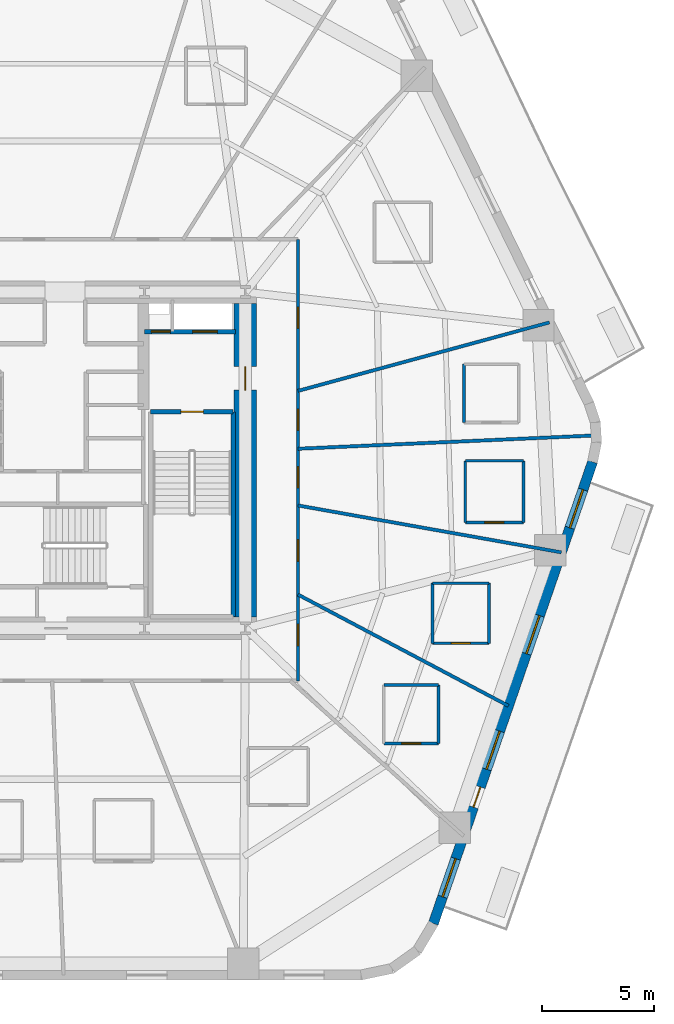
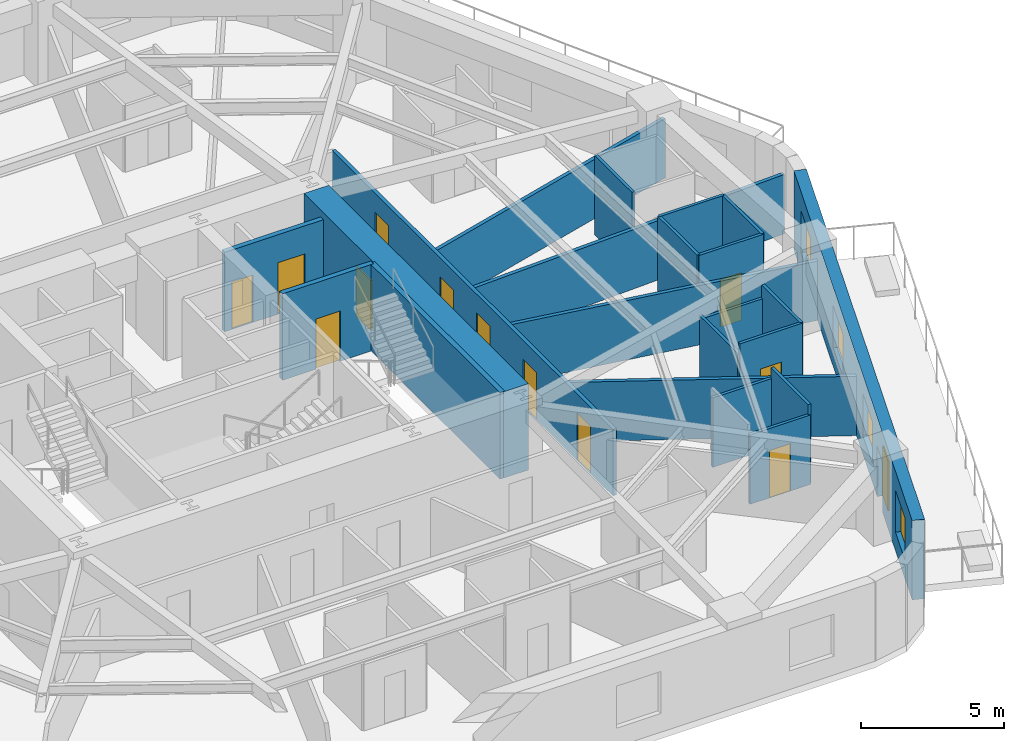
# One storey, part 5 of 10: 22 walls, 13 doors, 4 windows, 17 openings.
"""IFC4 building model written with IfcOpenShell, lengths in metres."""

from ifc_helpers import new_model, si_unit, direction, frame, frame_2d, origin, place, context, subcontext, project, spatial, rectangle, extrude, material, layer, layer_set, type_object, element, fill, save


model = new_model("IFC4")

# Units and contexts
model_context = context("Model", 3, precision=1e-05, world=origin(), true_north=direction((0.0, 1.0)))
body_context = subcontext(model_context, "Body", "Model", "MODEL_VIEW")
ifc_project = project(units=[si_unit("LENGTHUNIT", "METRE"), si_unit("AREAUNIT", "SQUARE_METRE"), si_unit("VOLUMEUNIT", "CUBIC_METRE"), si_unit("PLANEANGLEUNIT", "RADIAN"), si_unit("MASSUNIT", "GRAM", prefix="KILO")], contexts=[model_context])

# Site, building, storey
site_placement = place(None, origin())
site = spatial("IfcSite", under=ifc_project, at=site_placement, CompositionType="ELEMENT")
building_placement = place(site_placement, origin())
building = spatial("IfcBuilding", under=site, at=building_placement, Name="Kilnhurst Terrace Hotel", CompositionType="ELEMENT")
storey_placement = place(building_placement, frame((0.0, 0.0, 52.699951171875)))
storey = spatial("IfcBuildingStorey", under=building, at=storey_placement, Name="L11", CompositionType="ELEMENT", Elevation=52.699951171875)

# Wall, openings, door, windows
ifc_material_1 = material(Name="Precast concrete C40/50", Category="concrete")
ifc_layer_1 = layer(ifc_material_1, 0.449951171875, Name="Precast concrete C40/50")
ifc_layer_set_1 = layer_set([ifc_layer_1], Name="Precast concrete C40/50")
wall_type_1 = type_object("IfcWallType", Name="WL-BRK-450", PredefinedType="SOLIDWALL", material=ifc_layer_set_1)
wall_1_placement = place(storey_placement, frame((17.3896484375, -20.678466796875, 0.0), z_axis=(0.0, 0.0, 1.0), x_axis=(0.326068018294, 0.945346310854, 0.0)))
wall_1 = element("IfcWall", 1, at=wall_1_placement, inside=storey, type_object=wall_type_1, Name="L11 Exterior Brick Facade Wall F2", PredefinedType="SOLIDWALL", context=body_context, shape_type="SweptSolid", body=[
    extrude(rectangle(XDim=21.79296875, YDim=0.449951171875, at=frame_2d((10.896484375, 0.0))), origin(), (0.0, 0.0, 1.0), 3.400146484375),
])
opening_1_placement = place(wall_1_placement, frame((5.492919921875, 0.0, 0.0)))
opening_1 = element("IfcOpeningElement", 2, at=opening_1_placement, cuts=wall_1, Name="Opening BD-950", PredefinedType="OPENING", context=body_context, shape_type="SweptSolid", body=[
    extrude(rectangle(XDim=0.949951171875, YDim=2.14990234375, at=frame_2d((0.47509765625, 1.074951171875))), frame((0.0, 0.23486328125, 0.0), z_axis=(0.0, -1.0, 0.0), x_axis=(1.0, 0.0, 0.0)), (0.0, 0.0, 1.0), 0.469970703125),
])
opening_2_placement = place(wall_1_placement, frame((1.260009765625, 0.0, 0.800048828125)))
opening_2 = element("IfcOpeningElement", 3, at=opening_2_placement, cuts=wall_1, Name="Opening W-01", PredefinedType="OPENING", context=body_context, shape_type="SweptSolid", body=[
    extrude(rectangle(XDim=1.800048828125, YDim=1.800048828125, at=frame_2d((0.89990234375, 0.89990234375))), frame((0.0, 0.23486328125, 0.0), z_axis=(0.0, -1.0, 0.0), x_axis=(1.0, 0.0, 0.0)), (0.0, 0.0, 1.0), 0.469970703125),
])
opening_3_placement = place(wall_1_placement, frame((7.282958984375, 0.0, 0.800048828125)))
opening_3 = element("IfcOpeningElement", 4, at=opening_3_placement, cuts=wall_1, Name="Opening W-01", PredefinedType="OPENING", context=body_context, shape_type="SweptSolid", body=[
    extrude(rectangle(XDim=1.800048828125, YDim=1.800048828125, at=frame_2d((0.89990234375, 0.89990234375))), frame((0.0, 0.23486328125, 0.0), z_axis=(0.0, -1.0, 0.0), x_axis=(1.0, 0.0, 0.0)), (0.0, 0.0, 1.0), 0.469970703125),
])
opening_4_placement = place(wall_1_placement, frame((12.736083984375, 0.0, 0.800048828125)))
opening_4 = element("IfcOpeningElement", 5, at=opening_4_placement, cuts=wall_1, Name="Opening W-01", PredefinedType="OPENING", context=body_context, shape_type="SweptSolid", body=[
    extrude(rectangle(XDim=1.800048828125, YDim=1.800048828125, at=frame_2d((0.89990234375, 0.89990234375))), frame((0.0, 0.23486328125, 0.0), z_axis=(0.0, -1.0, 0.0), x_axis=(1.0, 0.0, 0.0)), (0.0, 0.0, 1.0), 0.469970703125),
])
opening_5_placement = place(wall_1_placement, frame((18.679931640625, 0.0, 0.800048828125)))
opening_5 = element("IfcOpeningElement", 6, at=opening_5_placement, cuts=wall_1, Name="Opening W-01", PredefinedType="OPENING", context=body_context, shape_type="SweptSolid", body=[
    extrude(rectangle(XDim=1.800048828125, YDim=1.800048828125, at=frame_2d((0.89990234375, 0.89990234375))), frame((0.0, 0.23486328125, 0.0), z_axis=(0.0, -1.0, 0.0), x_axis=(1.0, 0.0, 0.0)), (0.0, 0.0, 1.0), 0.469970703125),
])
ifc_material_2 = material(Name="Thermally Broken Bronze Aluminium Alloy 6063-T6 and Laminated Glass", Category="aluminium")
door_type_1 = type_object("IfcDoorType", Name="DR-EXT-BAL-950", OperationType="NOTDEFINED", PredefinedType="DOOR", material=ifc_material_2)
door_1_placement = place(opening_1_placement, origin())
door_1 = element("IfcDoor", 7, at=door_1_placement, inside=storey, type_object=door_type_1, Name="L11 Planted Balcony Door BAL-L1A", OperationType="SINGLE_SWING_RIGHT", OverallHeight=2.14990234375, OverallWidth=0.949951171875, PredefinedType="DOOR", context=body_context, shape_type="SweptSolid", body=[
    extrude(rectangle(XDim=0.949951171875, YDim=2.14990234375, at=frame_2d((0.47509765625, 1.074951171875))), frame((0.0, 0.02490234375, 0.0), z_axis=(0.0, -1.0, 0.0), x_axis=(1.0, 0.0, 0.0)), (0.0, 0.0, 1.0), 0.050048828125),
])
fill(opening_1, door_1)
ifc_material_3 = material(Name="Thermally Broken Bronze Aluminium Alloy 6063-T6 and Low-E Glass", Category="aluminium")
window_type = type_object("IfcWindowType", Name="WIN-1800X1800", PartitioningType="SINGLE_PANEL", PredefinedType="WINDOW", material=ifc_material_3)
window_1_placement = place(opening_2_placement, origin())
window_1 = element("IfcWindow", 8, at=window_1_placement, inside=storey, type_object=window_type, Name="L11 Deep-Set Masonry Window F2.1", OverallHeight=1.800048828125, OverallWidth=1.800048828125, PartitioningType="SINGLE_PANEL", PredefinedType="WINDOW", context=body_context, shape_type="SweptSolid", body=[
    extrude(rectangle(XDim=1.800048828125, YDim=1.800048828125, at=frame_2d((0.89990234375, 0.89990234375))), frame((0.0, 0.030029296875, 0.0), z_axis=(0.0, -1.0, 0.0), x_axis=(1.0, 0.0, 0.0)), (0.0, 0.0, 1.0), 0.06005859375),
])
fill(opening_2, window_1)
window_2_placement = place(opening_3_placement, origin())
window_2 = element("IfcWindow", 9, at=window_2_placement, inside=storey, type_object=window_type, Name="L11 Deep-Set Masonry Window F2.2", OverallHeight=1.800048828125, OverallWidth=1.800048828125, PartitioningType="SINGLE_PANEL", PredefinedType="WINDOW", context=body_context, shape_type="SweptSolid", body=[
    extrude(rectangle(XDim=1.800048828125, YDim=1.800048828125, at=frame_2d((0.89990234375, 0.89990234375))), frame((0.0, 0.030029296875, 0.0), z_axis=(0.0, -1.0, 0.0), x_axis=(1.0, 0.0, 0.0)), (0.0, 0.0, 1.0), 0.06005859375),
])
fill(opening_3, window_2)
window_3_placement = place(opening_4_placement, origin())
window_3 = element("IfcWindow", 10, at=window_3_placement, inside=storey, type_object=window_type, Name="L11 Deep-Set Masonry Window F2.3", OverallHeight=1.800048828125, OverallWidth=1.800048828125, PartitioningType="SINGLE_PANEL", PredefinedType="WINDOW", context=body_context, shape_type="SweptSolid", body=[
    extrude(rectangle(XDim=1.800048828125, YDim=1.800048828125, at=frame_2d((0.89990234375, 0.89990234375))), frame((0.0, 0.030029296875, 0.0), z_axis=(0.0, -1.0, 0.0), x_axis=(1.0, 0.0, 0.0)), (0.0, 0.0, 1.0), 0.06005859375),
])
fill(opening_4, window_3)
window_4_placement = place(opening_5_placement, origin())
window_4 = element("IfcWindow", 11, at=window_4_placement, inside=storey, type_object=window_type, Name="L11 Deep-Set Masonry Window F2.4", OverallHeight=1.800048828125, OverallWidth=1.800048828125, PartitioningType="SINGLE_PANEL", PredefinedType="WINDOW", context=body_context, shape_type="SweptSolid", body=[
    extrude(rectangle(XDim=1.800048828125, YDim=1.800048828125, at=frame_2d((0.89990234375, 0.89990234375))), frame((0.0, 0.030029296875, 0.0), z_axis=(0.0, -1.0, 0.0), x_axis=(1.0, 0.0, 0.0)), (0.0, 0.0, 1.0), 0.06005859375),
])
fill(opening_5, window_4)

# Wall, openings, doors
ifc_material_4 = material(Name="Acoustic Double-Gypsum Corridor Partition Assembly")
ifc_layer_2 = layer(ifc_material_4, 0.14990234375, Name="Acoustic Double-Gypsum Corridor Partition Assembly")
ifc_layer_set_2 = layer_set([ifc_layer_2], Name="Acoustic Double-Gypsum Corridor Partition Assembly")
wall_type_2 = type_object("IfcWallType", Name="WL-COR-150", PredefinedType="PARTITIONING", material=ifc_layer_set_2)
wall_2_placement = place(storey_placement, frame((11.35009765625, 9.85009765625, 0.0), z_axis=(0.0, 0.0, 1.0), x_axis=(0.0, -1.0, 0.0)))
wall_2 = element("IfcWall", 12, at=wall_2_placement, inside=storey, type_object=wall_type_2, Name="L11 Interior Wall WL-L11-COR-03", PredefinedType="PARTITIONING", context=body_context, shape_type="SweptSolid", body=[
    extrude(rectangle(XDim=19.7001953125, YDim=0.14990234375, at=frame_2d((9.85009765625, 0.0))), origin(), (0.0, 0.0, 1.0), 2.840087890625),
])
opening_6_placement = place(wall_2_placement, frame((7.571044921875, 0.0, 0.0)))
opening_6 = element("IfcOpeningElement", 13, at=opening_6_placement, cuts=wall_2, Name="Opening D-60B", PredefinedType="OPENING", context=body_context, shape_type="SweptSolid", body=[
    extrude(rectangle(XDim=0.949951171875, YDim=2.030029296875, at=frame_2d((0.47509765625, 1.01513671875))), frame((0.0, 0.0849609375, 0.0), z_axis=(0.0, -1.0, 0.0), x_axis=(1.0, 0.0, 0.0)), (0.0, 0.0, 1.0), 0.169921875),
])
opening_7_placement = place(wall_2_placement, frame((3.02392578125, 0.0, 0.0)))
opening_7 = element("IfcOpeningElement", 14, at=opening_7_placement, cuts=wall_2, Name="Opening D-60B", PredefinedType="OPENING", context=body_context, shape_type="SweptSolid", body=[
    extrude(rectangle(XDim=0.949951171875, YDim=2.030029296875, at=frame_2d((0.47509765625, 1.01513671875))), frame((0.0, 0.0849609375, 0.0), z_axis=(0.0, -1.0, 0.0), x_axis=(1.0, 0.0, 0.0)), (0.0, 0.0, 1.0), 0.169921875),
])
opening_8_placement = place(wall_2_placement, frame((17.180908203125, 0.0, 0.0)))
opening_8 = element("IfcOpeningElement", 15, at=opening_8_placement, cuts=wall_2, Name="Opening D-60B", PredefinedType="OPENING", context=body_context, shape_type="SweptSolid", body=[
    extrude(rectangle(XDim=0.949951171875, YDim=2.030029296875, at=frame_2d((0.47509765625, 1.01513671875))), frame((0.0, 0.0849609375, 0.0), z_axis=(0.0, -1.0, 0.0), x_axis=(1.0, 0.0, 0.0)), (0.0, 0.0, 1.0), 0.169921875),
])
opening_9_placement = place(wall_2_placement, frame((13.403076171875, 0.0, 0.0)))
opening_9 = element("IfcOpeningElement", 16, at=opening_9_placement, cuts=wall_2, Name="Opening D-60B", PredefinedType="OPENING", context=body_context, shape_type="SweptSolid", body=[
    extrude(rectangle(XDim=0.949951171875, YDim=2.030029296875, at=frame_2d((0.47509765625, 1.01513671875))), frame((0.0, 0.0849609375, 0.0), z_axis=(0.0, -1.0, 0.0), x_axis=(1.0, 0.0, 0.0)), (0.0, 0.0, 1.0), 0.169921875),
])
opening_10_placement = place(wall_2_placement, frame((10.134033203125, 0.0, 0.0)))
opening_10 = element("IfcOpeningElement", 17, at=opening_10_placement, cuts=wall_2, Name="Opening D-60B", PredefinedType="OPENING", context=body_context, shape_type="SweptSolid", body=[
    extrude(rectangle(XDim=0.949951171875, YDim=2.030029296875, at=frame_2d((0.47509765625, 1.01513671875))), frame((0.0, 0.0849609375, 0.0), z_axis=(0.0, -1.0, 0.0), x_axis=(1.0, 0.0, 0.0)), (0.0, 0.0, 1.0), 0.169921875),
])
ifc_material_5 = material(Name="Acoustic Walnut Veneer Solid-Core Fire Door")
door_type_2 = type_object("IfcDoorType", Name="DR-FD60-950", OperationType="NOTDEFINED", PredefinedType="DOOR", material=ifc_material_5)
door_2_placement = place(opening_6_placement, origin())
door_2 = element("IfcDoor", 18, at=door_2_placement, inside=storey, type_object=door_type_2, Name="L11 Guest Room Entry Door 1", OperationType="SINGLE_SWING_LEFT", OverallHeight=2.030029296875, OverallWidth=0.949951171875, PredefinedType="DOOR", context=body_context, shape_type="SweptSolid", body=[
    extrude(rectangle(XDim=0.949951171875, YDim=2.030029296875, at=frame_2d((0.47509765625, 1.01513671875))), frame((0.0, 0.02490234375, 0.0), z_axis=(0.0, -1.0, 0.0), x_axis=(1.0, 0.0, 0.0)), (0.0, 0.0, 1.0), 0.050048828125),
])
fill(opening_6, door_2)
door_3_placement = place(opening_7_placement, origin())
door_3 = element("IfcDoor", 19, at=door_3_placement, inside=storey, type_object=door_type_2, Name="L11 Executive Suite Entry Door 2", OperationType="SINGLE_SWING_RIGHT", OverallHeight=2.030029296875, OverallWidth=0.949951171875, PredefinedType="DOOR", context=body_context, shape_type="SweptSolid", body=[
    extrude(rectangle(XDim=0.949951171875, YDim=2.030029296875, at=frame_2d((0.47509765625, 1.01513671875))), frame((0.0, 0.02490234375, 0.0), z_axis=(0.0, -1.0, 0.0), x_axis=(1.0, 0.0, 0.0)), (0.0, 0.0, 1.0), 0.050048828125),
])
fill(opening_7, door_3)
door_4_placement = place(opening_8_placement, origin())
door_4 = element("IfcDoor", 20, at=door_4_placement, inside=storey, type_object=door_type_2, Name="L11 Guest Room Entry Door 17", OperationType="SINGLE_SWING_LEFT", OverallHeight=2.030029296875, OverallWidth=0.949951171875, PredefinedType="DOOR", context=body_context, shape_type="SweptSolid", body=[
    extrude(rectangle(XDim=0.949951171875, YDim=2.030029296875, at=frame_2d((0.47509765625, 1.01513671875))), frame((0.0, 0.02490234375, 0.0), z_axis=(0.0, -1.0, 0.0), x_axis=(1.0, 0.0, 0.0)), (0.0, 0.0, 1.0), 0.050048828125),
])
fill(opening_8, door_4)
door_5_placement = place(opening_9_placement, origin())
door_5 = element("IfcDoor", 21, at=door_5_placement, inside=storey, type_object=door_type_2, Name="L11 Guest Room Entry Door 18", OperationType="SINGLE_SWING_RIGHT", OverallHeight=2.030029296875, OverallWidth=0.949951171875, PredefinedType="DOOR", context=body_context, shape_type="SweptSolid", body=[
    extrude(rectangle(XDim=0.949951171875, YDim=2.030029296875, at=frame_2d((0.47509765625, 1.01513671875))), frame((0.0, 0.02490234375, 0.0), z_axis=(0.0, -1.0, 0.0), x_axis=(1.0, 0.0, 0.0)), (0.0, 0.0, 1.0), 0.050048828125),
])
fill(opening_9, door_5)
door_6_placement = place(opening_10_placement, origin())
door_6 = element("IfcDoor", 22, at=door_6_placement, inside=storey, type_object=door_type_2, Name="L11 Guest Room Entry Door 19", OperationType="SINGLE_SWING_LEFT", OverallHeight=2.030029296875, OverallWidth=0.949951171875, PredefinedType="DOOR", context=body_context, shape_type="SweptSolid", body=[
    extrude(rectangle(XDim=0.949951171875, YDim=2.030029296875, at=frame_2d((0.47509765625, 1.01513671875))), frame((0.0, 0.02490234375, 0.0), z_axis=(0.0, -1.0, 0.0), x_axis=(1.0, 0.0, 0.0)), (0.0, 0.0, 1.0), 0.050048828125),
])
fill(opening_10, door_6)

# Wall, opening, door
ifc_material_6 = material(Name="Concrete C80/95", Category="concrete")
ifc_layer_3 = layer(ifc_material_6, 1.0, Name="Concrete C80/95")
ifc_layer_set_3 = layer_set([ifc_layer_3], Name="Concrete C80/95")
wall_type_3 = type_object("IfcWallType", Name="WL-CORE-1000", PredefinedType="SHEAR", material=ifc_layer_set_3)
wall_3_placement = place(storey_placement, frame((9.0, -7.0, 0.0), z_axis=(0.0, 0.0, 1.0), x_axis=(0.0, 1.0, 0.0)))
wall_3 = element("IfcWall", 23, at=wall_3_placement, inside=storey, type_object=wall_type_3, Name="L11 Core East Shear Wall", PredefinedType="SHEAR", context=body_context, shape_type="SweptSolid", body=[
    extrude(rectangle(XDim=14.0, YDim=1.0, at=frame_2d((7.0, 0.0))), origin(), (0.0, 0.0, 1.0), 3.699951171875),
])
opening_11_placement = place(wall_3_placement, frame((10.125, 0.0, 0.0)))
opening_11 = element("IfcOpeningElement", 24, at=opening_11_placement, cuts=wall_3, Name="Opening D-90A", PredefinedType="OPENING", context=body_context, shape_type="SweptSolid", body=[
    extrude(rectangle(XDim=1.050048828125, YDim=2.14990234375, at=frame_2d((0.52490234375, 1.074951171875))), frame((0.0, 0.510009765625, 0.0), z_axis=(0.0, -1.0, 0.0), x_axis=(1.0, 0.0, 0.0)), (0.0, 0.0, 1.0), 1.02001953125),
])
ifc_material_7 = material(Name="Painted Hollow Metal Steel ASTM A36 Fire Door", Category="steel")
door_type_3 = type_object("IfcDoorType", Name="DR-FD90-1050", OperationType="NOTDEFINED", PredefinedType="DOOR", material=ifc_material_7)
door_7_placement = place(opening_11_placement, origin())
door_7 = element("IfcDoor", 25, at=door_7_placement, inside=storey, type_object=door_type_3, Name="L11 East Firefighting Lobby Door", OperationType="SINGLE_SWING_LEFT", OverallHeight=2.14990234375, OverallWidth=1.050048828125, PredefinedType="DOOR", context=body_context, shape_type="SweptSolid", body=[
    extrude(rectangle(XDim=1.050048828125, YDim=2.14990234375, at=frame_2d((0.52490234375, 1.074951171875))), frame((0.0, 0.02490234375, 0.0), z_axis=(0.0, -1.0, 0.0), x_axis=(1.0, 0.0, 0.0)), (0.0, 0.0, 1.0), 0.050048828125),
])
fill(opening_11, door_7)

# Walls
ifc_material_8 = material(Name="STC-58 Acoustic Twin-Frame Guestroom Demising Partition")
ifc_layer_4 = layer(ifc_material_8, 0.14990234375, Name="STC-58 Acoustic Twin-Frame Guestroom Demising Partition")
ifc_layer_set_4 = layer_set([ifc_layer_4], Name="STC-58 Acoustic Twin-Frame Guestroom Demising Partition")
wall_type_4 = type_object("IfcWallType", Name="WL-DEM-150", PredefinedType="PARTITIONING", material=ifc_layer_set_4)
wall_4_placement = place(storey_placement, frame((11.35009765625, 0.50830078125, 0.0), z_axis=(0.0, 0.0, 1.0), x_axis=(0.998998237556, 0.044749540337, 0.0)))
element("IfcWall", 26, at=wall_4_placement, inside=storey, type_object=wall_type_4, Name="L11 Interior Wall WL-L11-DEM-MID12-01-1", PredefinedType="PARTITIONING", context=body_context, shape_type="SweptSolid", body=[
    extrude(rectangle(XDim=13.1591796875, YDim=0.14990234375, at=frame_2d((6.57958984375, 0.0))), origin(), (0.0, 0.0, 1.0), 2.5400390625),
])
wall_5_placement = place(storey_placement, frame((11.35009765625, 3.0908203125, 0.0), z_axis=(0.0, 0.0, 1.0), x_axis=(0.964859685283, 0.262765651704, 0.0)))
element("IfcWall", 27, at=wall_5_placement, inside=storey, type_object=wall_type_4, Name="L11 Interior Wall WL-L11-DEM-COL01-02-1", PredefinedType="PARTITIONING", context=body_context, shape_type="SweptSolid", body=[
    extrude(rectangle(XDim=11.62890625, YDim=0.14990234375, at=frame_2d((5.814453125, 0.0))), origin(), (0.0, 0.0, 1.0), 2.5400390625),
])
wall_6_placement = place(storey_placement, frame((11.35009765625, -6.00146484375, 0.0), z_axis=(0.0, 0.0, 1.0), x_axis=(0.884022077319, -0.467445148453, 0.0)))
element("IfcWall", 28, at=wall_6_placement, inside=storey, type_object=wall_type_4, Name="L11 Interior Wall WL-L11-DEM-MID11-18-1", PredefinedType="PARTITIONING", context=body_context, shape_type="SweptSolid", body=[
    extrude(rectangle(XDim=10.621337890625, YDim=0.14990234375, at=frame_2d((5.310546875, 0.0))), origin(), (0.0, 0.0, 1.0), 2.5400390625),
])
wall_7_placement = place(storey_placement, frame((11.35009765625, -2.022705078125, 0.0), z_axis=(0.0, 0.0, 1.0), x_axis=(0.984493741877, -0.17541970301, 0.0)))
element("IfcWall", 29, at=wall_7_placement, inside=storey, type_object=wall_type_4, Name="L11 Interior Wall WL-L11-DEM-COL12-19-1", PredefinedType="PARTITIONING", context=body_context, shape_type="SweptSolid", body=[
    extrude(rectangle(XDim=11.93701171875, YDim=0.14990234375, at=frame_2d((5.968505859375, 0.0))), origin(), (0.0, 0.0, 1.0), 2.5400390625),
])
ifc_material_9 = material(Name="120 mm Moisture-Resistant Tile-Backed Bathroom Partition")
ifc_layer_5 = layer(ifc_material_9, 0.1201171875, Name="120 mm Moisture-Resistant Tile-Backed Bathroom Partition")
ifc_layer_set_5 = layer_set([ifc_layer_5], Name="120 mm Moisture-Resistant Tile-Backed Bathroom Partition")
wall_type_5 = type_object("IfcWallType", Name="WL-PART-120", PredefinedType="PARTITIONING", material=ifc_layer_set_5)
wall_8_placement = place(storey_placement, frame((18.760009765625, 4.285888671875, 0.0), z_axis=(0.0, 0.0, 1.0), x_axis=(0.0, -1.0, 0.0)))
element("IfcWall", 30, at=wall_8_placement, inside=storey, type_object=wall_type_5, Name="L11 Interior Wall WL-L11-BTH-01-4", PredefinedType="PARTITIONING", context=body_context, shape_type="SweptSolid", body=[
    extrude(rectangle(XDim=2.60986328125, YDim=0.1201171875, at=frame_2d((1.304931640625, 0.0))), origin(), (0.0, 0.0, 1.0), 3.400146484375),
])

# Wall, opening, door
wall_9_placement = place(storey_placement, frame((15.177978515625, -12.64697265625, 0.0), z_axis=(0.0, 0.0, 1.0), x_axis=(1.0, 0.0, 0.0)))
wall_9 = element("IfcWall", 31, at=wall_9_placement, inside=storey, type_object=wall_type_5, Name="L11 Interior Wall WL-L11-BTH-17-1", PredefinedType="PARTITIONING", context=body_context, shape_type="SweptSolid", body=[
    extrude(rectangle(XDim=2.43994140625, YDim=0.1201171875, at=frame_2d((1.219970703125, 0.0))), origin(), (0.0, 0.0, 1.0), 2.972412109375),
])
opening_12_placement = place(wall_9_placement, frame((0.794921875, 0.0, 0.0)))
opening_12 = element("IfcOpeningElement", 32, at=opening_12_placement, cuts=wall_9, Name="Opening D-08A", PredefinedType="OPENING", context=body_context, shape_type="SweptSolid", body=[
    extrude(rectangle(XDim=0.85009765625, YDim=2.030029296875, at=frame_2d((0.425048828125, 1.01513671875))), frame((0.0, 0.070068359375, 0.0), z_axis=(0.0, -1.0, 0.0), x_axis=(1.0, 0.0, 0.0)), (0.0, 0.0, 1.0), 0.14013671875),
])
ifc_material_10 = material(Name="Moisture-Resistant Lacquered En-suite Bathroom Door")
door_type_4 = type_object("IfcDoorType", Name="DR-INT-850", OperationType="NOTDEFINED", PredefinedType="DOOR", material=ifc_material_10)
door_8_placement = place(opening_12_placement, origin())
door_8 = element("IfcDoor", 33, at=door_8_placement, inside=storey, type_object=door_type_4, Name="L11 En-suite Bathroom Door 17", OperationType="SINGLE_SWING_RIGHT", OverallHeight=2.030029296875, OverallWidth=0.85009765625, PredefinedType="DOOR", context=body_context, shape_type="SweptSolid", body=[
    extrude(rectangle(XDim=0.85009765625, YDim=2.030029296875, at=frame_2d((0.425048828125, 1.01513671875))), frame((0.0, 0.02490234375, 0.0), z_axis=(0.0, -1.0, 0.0), x_axis=(1.0, 0.0, 0.0)), (0.0, 0.0, 1.0), 0.050048828125),
])
fill(opening_12, door_8)

# Walls
wall_10_placement = place(storey_placement, frame((17.617919921875, -12.64697265625, 0.0), z_axis=(0.0, 0.0, 1.0), x_axis=(0.0, 1.0, 0.0)))
element("IfcWall", 34, at=wall_10_placement, inside=storey, type_object=wall_type_5, Name="L11 Interior Wall WL-L11-BTH-17-2", PredefinedType="PARTITIONING", context=body_context, shape_type="SweptSolid", body=[
    extrude(rectangle(XDim=2.60986328125, YDim=0.1201171875, at=frame_2d((1.304931640625, 0.0))), origin(), (0.0, 0.0, 1.0), 3.400146484375),
])
wall_11_placement = place(storey_placement, frame((17.617919921875, -10.037109375, 0.0), z_axis=(0.0, 0.0, 1.0), x_axis=(-1.0, 0.0, 0.0)))
element("IfcWall", 35, at=wall_11_placement, inside=storey, type_object=wall_type_5, Name="L11 Interior Wall WL-L11-BTH-17-3", PredefinedType="PARTITIONING", context=body_context, shape_type="SweptSolid", body=[
    extrude(rectangle(XDim=2.43994140625, YDim=0.1201171875, at=frame_2d((1.219970703125, 0.0))), origin(), (0.0, 0.0, 1.0), 2.972412109375),
])

# Wall, opening, door
wall_12_placement = place(storey_placement, frame((17.35400390625, -8.173095703125, 0.0), z_axis=(0.0, 0.0, 1.0), x_axis=(1.0, 0.0, 0.0)))
wall_12 = element("IfcWall", 36, at=wall_12_placement, inside=storey, type_object=wall_type_5, Name="L11 Interior Wall WL-L11-BTH-18-1", PredefinedType="PARTITIONING", context=body_context, shape_type="SweptSolid", body=[
    extrude(rectangle(XDim=2.52001953125, YDim=0.1201171875, at=frame_2d((1.260009765625, 0.0))), origin(), (0.0, 0.0, 1.0), 3.400146484375),
])
opening_13_placement = place(wall_12_placement, frame((0.8349609375, 0.0, 0.0)))
opening_13 = element("IfcOpeningElement", 37, at=opening_13_placement, cuts=wall_12, Name="Opening D-08A", PredefinedType="OPENING", context=body_context, shape_type="SweptSolid", body=[
    extrude(rectangle(XDim=0.85009765625, YDim=2.030029296875, at=frame_2d((0.425048828125, 1.01513671875))), frame((0.0, 0.070068359375, 0.0), z_axis=(0.0, -1.0, 0.0), x_axis=(1.0, 0.0, 0.0)), (0.0, 0.0, 1.0), 0.14013671875),
])
door_9_placement = place(opening_13_placement, origin())
door_9 = element("IfcDoor", 38, at=door_9_placement, inside=storey, type_object=door_type_4, Name="L11 En-suite Bathroom Door 18", OperationType="SINGLE_SWING_LEFT", OverallHeight=2.030029296875, OverallWidth=0.85009765625, PredefinedType="DOOR", context=body_context, shape_type="SweptSolid", body=[
    extrude(rectangle(XDim=0.85009765625, YDim=2.030029296875, at=frame_2d((0.425048828125, 1.01513671875))), frame((0.0, 0.02490234375, 0.0), z_axis=(0.0, -1.0, 0.0), x_axis=(1.0, 0.0, 0.0)), (0.0, 0.0, 1.0), 0.050048828125),
])
fill(opening_13, door_9)

# Walls
wall_13_placement = place(storey_placement, frame((19.8740234375, -8.173095703125, 0.0), z_axis=(0.0, 0.0, 1.0), x_axis=(0.0, 1.0, 0.0)))
element("IfcWall", 39, at=wall_13_placement, inside=storey, type_object=wall_type_5, Name="L11 Interior Wall WL-L11-BTH-18-2", PredefinedType="PARTITIONING", context=body_context, shape_type="SweptSolid", body=[
    extrude(rectangle(XDim=2.68017578125, YDim=0.1201171875, at=frame_2d((1.340087890625, 0.0))), origin(), (0.0, 0.0, 1.0), 3.400146484375),
])
wall_14_placement = place(storey_placement, frame((19.8740234375, -5.492919921875, 0.0), z_axis=(0.0, 0.0, 1.0), x_axis=(-1.0, 0.0, 0.0)))
element("IfcWall", 40, at=wall_14_placement, inside=storey, type_object=wall_type_5, Name="L11 Interior Wall WL-L11-BTH-18-3", PredefinedType="PARTITIONING", context=body_context, shape_type="SweptSolid", body=[
    extrude(rectangle(XDim=2.52001953125, YDim=0.1201171875, at=frame_2d((1.260009765625, 0.0))), origin(), (0.0, 0.0, 1.0), 2.840087890625),
])
wall_15_placement = place(storey_placement, frame((17.35400390625, -5.492919921875, 0.0), z_axis=(0.0, 0.0, 1.0), x_axis=(0.0, -1.0, 0.0)))
element("IfcWall", 41, at=wall_15_placement, inside=storey, type_object=wall_type_5, Name="L11 Interior Wall WL-L11-BTH-18-4", PredefinedType="PARTITIONING", context=body_context, shape_type="SweptSolid", body=[
    extrude(rectangle(XDim=2.68017578125, YDim=0.1201171875, at=frame_2d((1.340087890625, 0.0))), origin(), (0.0, 0.0, 1.0), 2.972412109375),
])

# Wall, opening, door
wall_16_placement = place(storey_placement, frame((18.81396484375, -2.781982421875, 0.0), z_axis=(0.0, 0.0, 1.0), x_axis=(1.0, 0.0, 0.0)))
wall_16 = element("IfcWall", 42, at=wall_16_placement, inside=storey, type_object=wall_type_5, Name="L11 Interior Wall WL-L11-BTH-19-1", PredefinedType="PARTITIONING", context=body_context, shape_type="SweptSolid", body=[
    extrude(rectangle(XDim=2.60009765625, YDim=0.1201171875, at=frame_2d((1.300048828125, 0.0))), origin(), (0.0, 0.0, 1.0), 3.400146484375),
])
opening_14_placement = place(wall_16_placement, frame((0.875, 0.0, 0.0)))
opening_14 = element("IfcOpeningElement", 43, at=opening_14_placement, cuts=wall_16, Name="Opening D-08A", PredefinedType="OPENING", context=body_context, shape_type="SweptSolid", body=[
    extrude(rectangle(XDim=0.85009765625, YDim=2.030029296875, at=frame_2d((0.425048828125, 1.01513671875))), frame((0.0, 0.070068359375, 0.0), z_axis=(0.0, -1.0, 0.0), x_axis=(1.0, 0.0, 0.0)), (0.0, 0.0, 1.0), 0.14013671875),
])
door_10_placement = place(opening_14_placement, origin())
door_10 = element("IfcDoor", 44, at=door_10_placement, inside=storey, type_object=door_type_4, Name="L11 En-suite Bathroom Door 19", OperationType="SINGLE_SWING_RIGHT", OverallHeight=2.030029296875, OverallWidth=0.85009765625, PredefinedType="DOOR", context=body_context, shape_type="SweptSolid", body=[
    extrude(rectangle(XDim=0.85009765625, YDim=2.030029296875, at=frame_2d((0.425048828125, 1.01513671875))), frame((0.0, 0.02490234375, 0.0), z_axis=(0.0, -1.0, 0.0), x_axis=(1.0, 0.0, 0.0)), (0.0, 0.0, 1.0), 0.050048828125),
])
fill(opening_14, door_10)

# Walls
wall_17_placement = place(storey_placement, frame((21.4140625, -2.781982421875, 0.0), z_axis=(0.0, 0.0, 1.0), x_axis=(0.0, 1.0, 0.0)))
element("IfcWall", 45, at=wall_17_placement, inside=storey, type_object=wall_type_5, Name="L11 Interior Wall WL-L11-BTH-19-2", PredefinedType="PARTITIONING", context=body_context, shape_type="SweptSolid", body=[
    extrude(rectangle(XDim=2.75, YDim=0.1201171875, at=frame_2d((1.375, 0.0))), origin(), (0.0, 0.0, 1.0), 3.400146484375),
])
wall_18_placement = place(storey_placement, frame((21.4140625, -0.031982421875, 0.0), z_axis=(0.0, 0.0, 1.0), x_axis=(-1.0, 0.0, 0.0)))
element("IfcWall", 46, at=wall_18_placement, inside=storey, type_object=wall_type_5, Name="L11 Interior Wall WL-L11-BTH-19-3", PredefinedType="PARTITIONING", context=body_context, shape_type="SweptSolid", body=[
    extrude(rectangle(XDim=2.60009765625, YDim=0.1201171875, at=frame_2d((1.300048828125, 0.0))), origin(), (0.0, 0.0, 1.0), 3.400146484375),
])
wall_19_placement = place(storey_placement, frame((18.81396484375, -0.031982421875, 0.0), z_axis=(0.0, 0.0, 1.0), x_axis=(0.0, -1.0, 0.0)))
element("IfcWall", 47, at=wall_19_placement, inside=storey, type_object=wall_type_5, Name="L11 Interior Wall WL-L11-BTH-19-4", PredefinedType="PARTITIONING", context=body_context, shape_type="SweptSolid", body=[
    extrude(rectangle(XDim=2.75, YDim=0.1201171875, at=frame_2d((1.375, 0.0))), origin(), (0.0, 0.0, 1.0), 3.400146484375),
])

# Wall, openings, doors
ifc_material_11 = material(Name="Autoclaved Aerated Concrete C30/37 and Gypsum Shaft Assembly", Category="concrete")
ifc_layer_6 = layer(ifc_material_11, 0.199951171875, Name="Autoclaved Aerated Concrete C30/37 and Gypsum Shaft Assembly")
ifc_layer_set_6 = layer_set([ifc_layer_6], Name="Autoclaved Aerated Concrete C30/37 and Gypsum Shaft Assembly")
wall_type_6 = type_object("IfcWallType", Name="WL-SHAFT-200", PredefinedType="PARTITIONING", material=ifc_layer_set_6)
wall_20_placement = place(storey_placement, frame((4.5, 5.739990234375, 0.0), z_axis=(0.0, 0.0, 1.0), x_axis=(1.0, 0.0, 0.0)))
wall_20 = element("IfcWall", 48, at=wall_20_placement, inside=storey, type_object=wall_type_6, Name="L11 Interior Wall WL-L11-FSAE2-S", PredefinedType="PARTITIONING", context=body_context, shape_type="SweptSolid", body=[
    extrude(rectangle(XDim=4.050048828125, YDim=0.199951171875, at=frame_2d((2.02490234375, 0.0))), origin(), (0.0, 0.0, 1.0), 3.400146484375),
])
opening_15_placement = place(wall_20_placement, frame((0.300048828125, 0.0, 0.0)))
opening_15 = element("IfcOpeningElement", 49, at=opening_15_placement, cuts=wall_20, Name="Opening D-60D", PredefinedType="OPENING", context=body_context, shape_type="SweptSolid", body=[
    extrude(rectangle(XDim=0.85009765625, YDim=2.030029296875, at=frame_2d((0.425048828125, 1.01513671875))), frame((0.0, 0.10986328125, 0.0), z_axis=(0.0, -1.0, 0.0), x_axis=(1.0, 0.0, 0.0)), (0.0, 0.0, 1.0), 0.219970703125),
])
opening_16_placement = place(wall_20_placement, frame((2.14990234375, 0.0, 0.0)))
opening_16 = element("IfcOpeningElement", 50, at=opening_16_placement, cuts=wall_20, Name="Opening LD-F2", PredefinedType="OPENING", context=body_context, shape_type="SweptSolid", body=[
    extrude(rectangle(XDim=1.10009765625, YDim=2.199951171875, at=frame_2d((0.550048828125, 1.10009765625))), frame((0.0, 0.10986328125, 0.0), z_axis=(0.0, -1.0, 0.0), x_axis=(1.0, 0.0, 0.0)), (0.0, 0.0, 1.0), 0.219970703125),
])
ifc_material_12 = material(Name="Painted Hollow Metal Steel ASTM A36 Riser Door", Category="steel")
door_type_5 = type_object("IfcDoorType", Name="DR-FD60-850", OperationType="NOTDEFINED", PredefinedType="DOOR", material=ifc_material_12)
door_11_placement = place(opening_15_placement, origin())
door_11 = element("IfcDoor", 51, at=door_11_placement, inside=storey, type_object=door_type_5, Name="L11 Telecom Riser Door", OperationType="SINGLE_SWING_RIGHT", OverallHeight=2.030029296875, OverallWidth=0.85009765625, PredefinedType="DOOR", context=body_context, shape_type="SweptSolid", body=[
    extrude(rectangle(XDim=0.85009765625, YDim=2.030029296875, at=frame_2d((0.425048828125, 1.01513671875))), frame((0.0, 0.02490234375, 0.0), z_axis=(0.0, -1.0, 0.0), x_axis=(1.0, 0.0, 0.0)), (0.0, 0.0, 1.0), 0.050048828125),
])
fill(opening_15, door_11)
ifc_material_13 = material(Name="Bronze-Anodized Stainless Steel AISI 316L Sliding Door", Category="steel")
door_type_6 = type_object("IfcDoorType", Name="DR-LIFT-1100", OperationType="NOTDEFINED", PredefinedType="DOOR", material=ifc_material_13)
door_12_placement = place(opening_16_placement, origin())
door_12 = element("IfcDoor", 52, at=door_12_placement, inside=storey, type_object=door_type_6, Name="L11 FSAE-2 Landing Door", OperationType="SLIDING_TO_RIGHT", OverallHeight=2.199951171875, OverallWidth=1.10009765625, PredefinedType="DOOR", context=body_context, shape_type="SweptSolid", body=[
    extrude(rectangle(XDim=1.10009765625, YDim=2.199951171875, at=frame_2d((0.550048828125, 1.10009765625))), frame((0.0, 0.02490234375, 0.0), z_axis=(0.0, -1.0, 0.0), x_axis=(1.0, 0.0, 0.0)), (0.0, 0.0, 1.0), 0.050048828125),
])
fill(opening_16, door_12)

# Wall
ifc_material_14 = material(Name="Concrete C50/60", Category="concrete")
ifc_layer_7 = layer(ifc_material_14, 0.199951171875, Name="Concrete C50/60")
ifc_layer_set_7 = layer_set([ifc_layer_7], Name="Concrete C50/60")
wall_type_7 = type_object("IfcWallType", Name="WL-STAIR-RC-200", PredefinedType="SHEAR", material=ifc_layer_set_7)
wall_21_placement = place(storey_placement, frame((8.4580078125, -6.985107421875, 0.0), z_axis=(0.0, 0.0, 1.0), x_axis=(0.0, 1.0, 0.0)))
element("IfcWall", 53, at=wall_21_placement, inside=storey, type_object=wall_type_7, Name="L11 Structural Stair Shaft Wall WL-L11-ST2-E", PredefinedType="SHEAR", context=body_context, shape_type="SweptSolid", body=[
    extrude(rectangle(XDim=9.14306640625, YDim=0.199951171875, at=frame_2d((4.571533203125, 0.0))), origin(), (0.0, 0.0, 1.0), 3.699951171875),
])

# Wall, opening, door
wall_22_placement = place(storey_placement, frame((4.77197265625, 2.157958984375, 0.0), z_axis=(0.0, 0.0, 1.0), x_axis=(1.0, 0.0, 0.0)))
wall_22 = element("IfcWall", 54, at=wall_22_placement, inside=storey, type_object=wall_type_7, Name="L11 Structural Stair Shaft Wall WL-L11-ST2-N", PredefinedType="SHEAR", context=body_context, shape_type="SweptSolid", body=[
    extrude(rectangle(XDim=3.68603515625, YDim=0.199951171875, at=frame_2d((1.843017578125, 0.0))), origin(), (0.0, 0.0, 1.0), 3.699951171875),
])
opening_17_placement = place(wall_22_placement, frame((1.35009765625, 0.0, 0.0)))
opening_17 = element("IfcOpeningElement", 55, at=opening_17_placement, cuts=wall_22, Name="Opening D-90B", PredefinedType="OPENING", context=body_context, shape_type="SweptSolid", body=[
    extrude(rectangle(XDim=1.0, YDim=2.14990234375, at=frame_2d((0.5, 1.074951171875))), frame((0.0, 0.10986328125, 0.0), z_axis=(0.0, -1.0, 0.0), x_axis=(1.0, 0.0, 0.0)), (0.0, 0.0, 1.0), 0.219970703125),
])
door_type_7 = type_object("IfcDoorType", Name="DR-FD90-1000", OperationType="NOTDEFINED", PredefinedType="DOOR", material=ifc_material_7)
door_13_placement = place(opening_17_placement, origin())
door_13 = element("IfcDoor", 56, at=door_13_placement, inside=storey, type_object=door_type_7, Name="L11 Stair ST-2 Door", OperationType="SINGLE_SWING_RIGHT", OverallHeight=2.14990234375, OverallWidth=1.0, PredefinedType="DOOR", context=body_context, shape_type="SweptSolid", body=[
    extrude(rectangle(XDim=1.0, YDim=2.14990234375, at=frame_2d((0.5, 1.074951171875))), frame((0.0, 0.02490234375, 0.0), z_axis=(0.0, -1.0, 0.0), x_axis=(1.0, 0.0, 0.0)), (0.0, 0.0, 1.0), 0.050048828125),
])
fill(opening_17, door_13)

save(model, "model.ifc")
